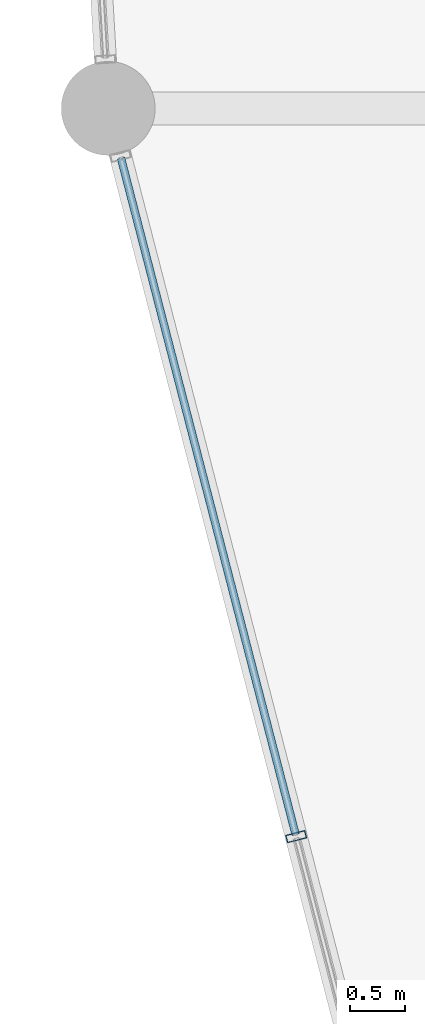
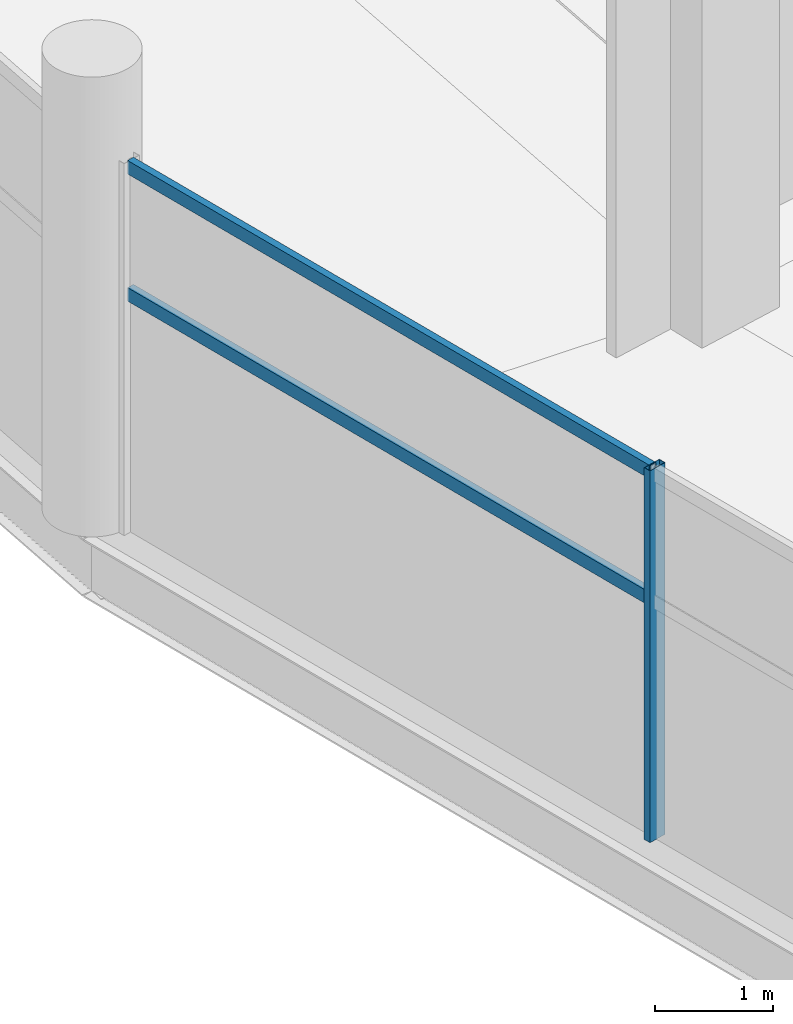
# One storey, part 11 of 156: 3 members, 1 element without a shape of its own.
"""IFC4 building model written with IfcOpenShell, lengths in metres."""

from ifc_helpers import new_model, si_unit, direction, frame, origin, origin_2d, place, context, subcontext, project, spatial, hollow_rectangle, extrude, material, layer, layer_set, material_profile, profile_set, type_object, element, aggregate, save


model = new_model("IFC4")

# Units and contexts
model_context = context("Model", 3, precision=1e-05, world=origin(), true_north=direction((0.0, 1.0)))
body_context = subcontext(model_context, "Body", "Model", "MODEL_VIEW")
ifc_project = project(units=[si_unit("LENGTHUNIT", "METRE"), si_unit("AREAUNIT", "SQUARE_METRE"), si_unit("VOLUMEUNIT", "CUBIC_METRE"), si_unit("PLANEANGLEUNIT", "RADIAN"), si_unit("MASSUNIT", "GRAM", prefix="KILO")], contexts=[model_context])

# Site, building, storey
site_placement = place(None, origin())
site = spatial("IfcSite", under=ifc_project, at=site_placement, CompositionType="ELEMENT")
building_placement = place(site_placement, origin())
building = spatial("IfcBuilding", under=site, at=building_placement, Name="Kazemori Nagisa Stadium", CompositionType="ELEMENT")
storey_placement = place(building_placement, frame((0.0, 0.0, 5.780029296875)))
storey = spatial("IfcBuildingStorey", under=building, at=storey_placement, Name="L01", CompositionType="ELEMENT", Elevation=5.780029296875)

# Curtain wall, members
ifc_material_1 = material(Name="Anodised aluminium 6063-T5", Category="aluminium")
ifc_layer = layer(ifc_material_1, 0.179931640625, Name="Anodised aluminium 6063-T5", Category="aluminium")
ifc_layer_set = layer_set([ifc_layer], Name="Anodised aluminium 6063-T5")
curtain_wall_type = type_object("IfcCurtainWallType", Name="CW_L01R3_96", PredefinedType="USERDEFINED", material=ifc_layer_set)
curtain_wall_placement = place(storey_placement, origin())
curtain_wall = element("IfcCurtainWall", 1, at=curtain_wall_placement, inside=storey, type_object=curtain_wall_type, Name="Unitised curtain wall CW-L01R3-96 L01", ObjectType="UNITISED CURTAIN WALL", PredefinedType="USERDEFINED")
ifc_material_2 = material(Name="Aluminium 6063-T5 anodised", Category="aluminium")
ifc_material_profile_1 = material_profile(ifc_material_2, hollow_rectangle(XDim=0.070068359375, YDim=0.179931640625, WallThickness=0.00390625, at=origin_2d()), Name="ALU-MULL-70x180x4")
ifc_profile_set_1 = profile_set([ifc_material_profile_1], Name="Aluminium 6063-T5 anodised")
member_type_1 = type_object("IfcMemberType", Name="Mullion_M01", PredefinedType="MULLION", material=ifc_profile_set_1)
member_1_placement = place(storey_placement, frame((24.821533203125, 76.008056640625, 0.0), z_axis=(0.0, 0.0, 1.0), x_axis=(0.249964642418, -0.968254965152, 0.0)))
member_1 = element("IfcMember", 2, at=member_1_placement, type_object=member_type_1, Name="Curtain wall mullion CW-L01R3-96-M2", PredefinedType="MULLION", context=body_context, shape_type="SweptSolid", body=[
    extrude(hollow_rectangle(XDim=0.070068359375, YDim=0.179931640625, WallThickness=0.00390625, at=origin_2d()), origin(), (0.0, 0.0, 1.0), 3.849853515625),
])
ifc_material_profile_2 = material_profile(ifc_material_2, hollow_rectangle(XDim=0.070068359375, YDim=0.139892578125, WallThickness=0.00390625, at=origin_2d()), Name="ALU-TRAN-70x140x4")
ifc_profile_set_2 = profile_set([ifc_material_profile_2], Name="Aluminium 6063-T5 anodised")
member_type_2 = type_object("IfcMemberType", Name="Transom_T01", PredefinedType="USERDEFINED", material=ifc_profile_set_2)
member_2_placement = place(storey_placement, frame((23.2353515625, 82.152099609375, 2.4638671875), z_axis=(0.249984240369, -0.968249905534, 0.0), x_axis=(0.968249905534, 0.249984240369, 0.0)))
member_2 = element("IfcMember", 3, at=member_2_placement, type_object=member_type_2, Name="Curtain wall transom CW-L01R3-96-T1-mid", ObjectType="TRANSOM", PredefinedType="USERDEFINED", context=body_context, shape_type="SweptSolid", body=[
    extrude(hollow_rectangle(XDim=0.070068359375, YDim=0.139892578125, WallThickness=0.00390625, at=origin_2d()), origin(), (0.0, 0.0, 1.0), 6.32568359375),
])
member_3_placement = place(storey_placement, frame((23.2353515625, 82.152099609375, 3.780029296875), z_axis=(0.249984240369, -0.968249905534, 0.0), x_axis=(0.968249905534, 0.249984240369, 0.0)))
member_3 = element("IfcMember", 4, at=member_3_placement, type_object=member_type_2, Name="Curtain wall transom CW-L01R3-96-T1-head", ObjectType="TRANSOM", PredefinedType="USERDEFINED", context=body_context, shape_type="SweptSolid", body=[
    extrude(hollow_rectangle(XDim=0.070068359375, YDim=0.139892578125, WallThickness=0.00390625, at=origin_2d()), origin(), (0.0, 0.0, 1.0), 6.32568359375),
])
aggregate(curtain_wall, [member_1, member_2, member_3])

save(model, "model.ifc")
